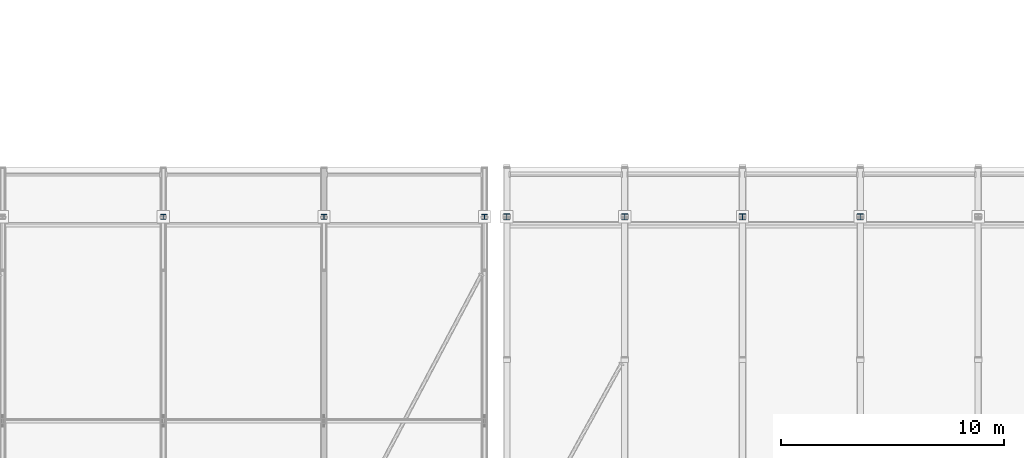
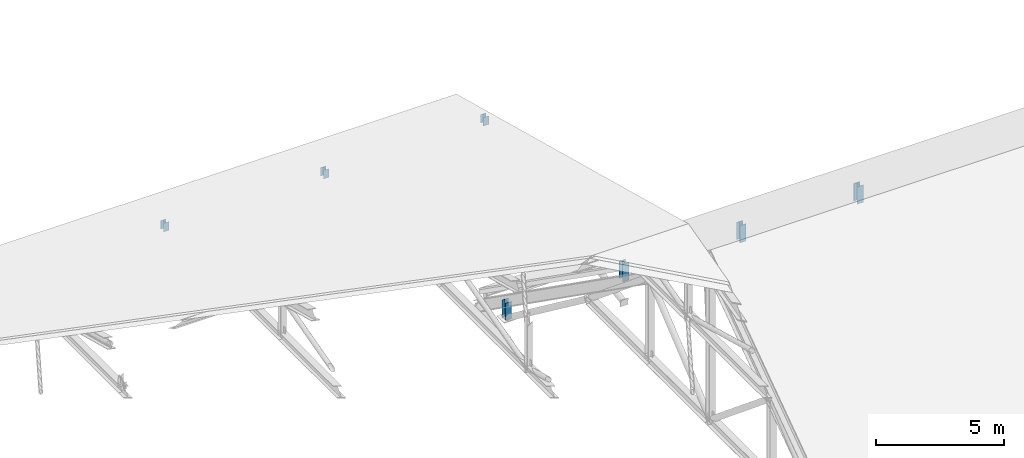
# One storey, part 25 of 57: 7 members.
"""IFC4 building model written with IfcOpenShell, lengths in metres."""

from ifc_helpers import new_model, si_unit, direction, frame, origin, origin_2d, place, context, subcontext, project, spatial, i_section, extrude, material, material_profile, profile_set, type_object, element, save


model = new_model("IFC4")

# Units and contexts
model_context = context("Model", 3, precision=1e-05, world=origin(), true_north=direction((0.0, 1.0)))
body_context = subcontext(model_context, "Body", "Model", "MODEL_VIEW")
ifc_project = project(units=[si_unit("LENGTHUNIT", "METRE"), si_unit("AREAUNIT", "SQUARE_METRE"), si_unit("VOLUMEUNIT", "CUBIC_METRE"), si_unit("PLANEANGLEUNIT", "RADIAN"), si_unit("MASSUNIT", "GRAM", prefix="KILO")], contexts=[model_context])

# Site, building, storey
site_placement = place(None, origin())
site = spatial("IfcSite", under=ifc_project, at=site_placement, CompositionType="ELEMENT")
building_placement = place(site_placement, origin())
building = spatial("IfcBuilding", under=site, at=building_placement, Name="Kelarvand Opera House", CompositionType="ELEMENT")
storey_placement = place(building_placement, frame((0.0, 0.0, 33.60009765625)))
storey = spatial("IfcBuildingStorey", under=building, at=storey_placement, Name="Roof", CompositionType="ELEMENT", Elevation=33.60009765625)

# Members
ifc_material = material(Name="Steel S355", Category="steel")
ifc_material_profile_1 = material_profile(ifc_material, i_section(OverallWidth=0.239990234375, OverallDepth=0.239990234375, WebThickness=0.010009765625, FlangeThickness=0.01708984375, at=origin_2d()), Name="HEB 240", Category="steel")
ifc_profile_set_1 = profile_set([ifc_material_profile_1], Name="Steel S355")
member_type_1 = type_object("IfcMemberType", Name="Structural Post HEB 240 PS-HEB240", PredefinedType="POST", material=ifc_profile_set_1)
for number, where, z_axis, x_axis, name in (
    (1, (73.60009765625, 78.39990234375, 0.0), (0.0, 0.0, 1.0), (1.0, 0.0, 0.0), "V2 Roof Truss 3 Bearing Post N"),
    (2, (80.800048828125, 78.39990234375, 0.0), (0.0, 0.0, 1.0), (1.0, 0.0, 0.0), "V2 Roof Truss 4 Bearing Post N"),
    (3, (88.0, 78.39990234375, 0.0), (0.0, 0.0, 1.0), (1.0, 0.0, 0.0), "V2 Roof Truss 5 Bearing Post N"),
):
    element("IfcMember", number, at=place(storey_placement, frame(where, z_axis=z_axis, x_axis=x_axis)), inside=storey, type_object=member_type_1, Name=name, PredefinedType="POST", context=body_context, shape_type="SweptSolid", body=[
        extrude(i_section(OverallWidth=0.239990234375, OverallDepth=0.239990234375, WebThickness=0.010009765625, FlangeThickness=0.01708984375, at=origin_2d()), origin(), (0.0, 0.0, 1.0), 0.39990234375),
    ])
ifc_material_profile_2 = material_profile(ifc_material, i_section(OverallWidth=0.280029296875, OverallDepth=0.280029296875, WebThickness=0.010498046875, FlangeThickness=0.01806640625, at=origin_2d()), Name="HEB 280", Category="steel")
ifc_profile_set_2 = profile_set([ifc_material_profile_2], Name="Steel S355")
member_type_2 = type_object("IfcMemberType", Name="Structural Post HEB 280 PS-HEB280", PredefinedType="POST", material=ifc_profile_set_2)
for number, where, z_axis, x_axis, name in (
    (4, (89.0, 78.39990234375, -9.60009765625), (0.0, 0.0, 1.0), (1.0, 0.0, 0.0), "V1 Roof Truss 1 Bearing Post N"),
    (5, (94.280029296875, 78.39990234375, -9.60009765625), (0.0, 0.0, 1.0), (1.0, 0.0, 0.0), "V1 Roof Truss 2 Bearing Post N"),
    (6, (99.56005859375, 78.39990234375, -9.60009765625), (0.0, 0.0, 1.0), (1.0, 0.0, 0.0), "V1 Roof Truss 3 Bearing Post N"),
    (7, (104.840087890625, 78.39990234375, -9.60009765625), (0.0, 0.0, 1.0), (1.0, 0.0, 0.0), "V1 Roof Truss 4 Bearing Post N"),
):
    element("IfcMember", number, at=place(storey_placement, frame(where, z_axis=z_axis, x_axis=x_axis)), inside=storey, type_object=member_type_2, Name=name, PredefinedType="POST", context=body_context, shape_type="SweptSolid", body=[
        extrude(i_section(OverallWidth=0.280029296875, OverallDepth=0.280029296875, WebThickness=0.010498046875, FlangeThickness=0.01806640625, at=origin_2d()), origin(), (0.0, 0.0, 1.0), 0.82373046875),
    ])

save(model, "model.ifc")
